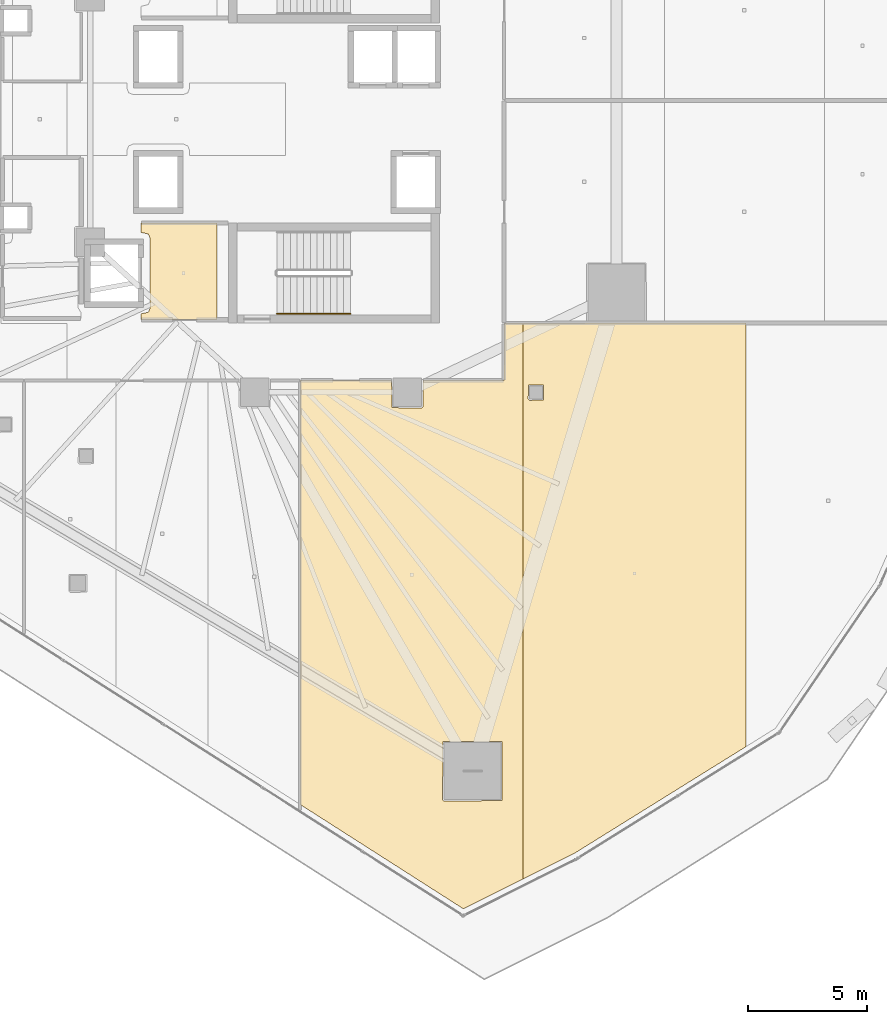
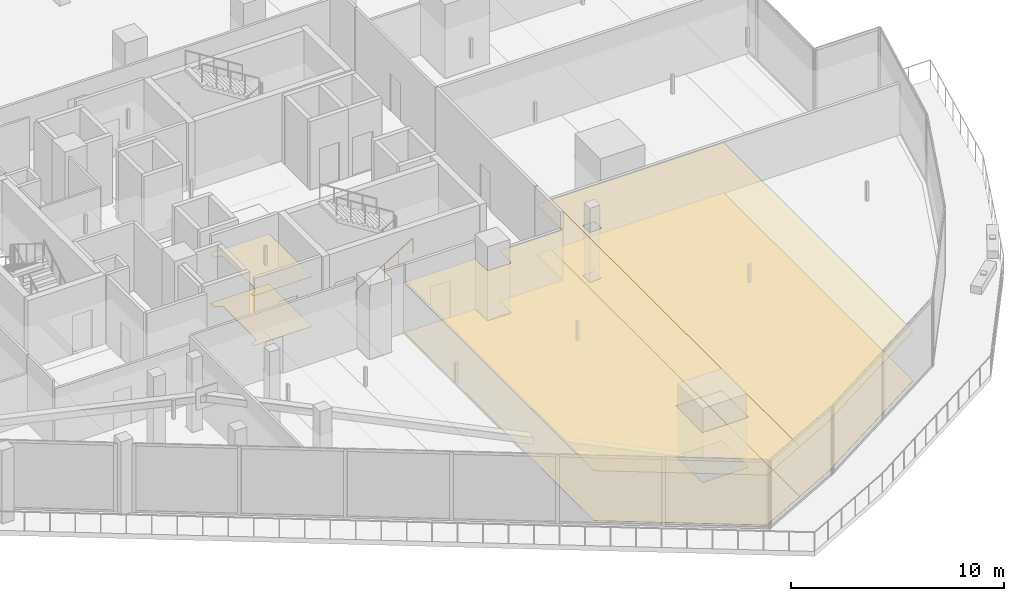
# One storey, part 39 of 45: 6 coverings, 1 railing.
"""IFC4 building model written with IfcOpenShell, lengths in metres."""

from ifc_helpers import new_model, si_unit, direction, frame, origin, origin_2d, place, context, subcontext, project, spatial, polyline, circle, outline, extrude, material, layer, layer_set, type_object, element, save


model = new_model("IFC4")

# Units and contexts
model_context = context("Model", 3, precision=1e-05, world=origin(), true_north=direction((0.0, 1.0)))
body_context = subcontext(model_context, "Body", "Model", "MODEL_VIEW")
ifc_project = project(units=[si_unit("LENGTHUNIT", "METRE"), si_unit("AREAUNIT", "SQUARE_METRE"), si_unit("VOLUMEUNIT", "CUBIC_METRE"), si_unit("PLANEANGLEUNIT", "RADIAN"), si_unit("MASSUNIT", "GRAM", prefix="KILO")], contexts=[model_context])

# Site, building, storey
site_placement = place(None, origin())
site = spatial("IfcSite", under=ifc_project, at=site_placement, CompositionType="ELEMENT")
building_placement = place(site_placement, origin())
building = spatial("IfcBuilding", under=site, at=building_placement, Name="Qorvath Tower", CompositionType="ELEMENT")
storey_placement = place(building_placement, frame((0.0, 0.0, 49.199951171875)))
storey = spatial("IfcBuildingStorey", under=building, at=storey_placement, Name="L10", CompositionType="ELEMENT", Elevation=49.199951171875)

# Coverings
ifc_material_1 = material(Name="Acoustic mineral fibre ceiling tile", Category="gypsum")
ifc_layer_1 = layer(ifc_material_1, 0.030029296875)
ifc_layer_set_1 = layer_set([ifc_layer_1], Name="COV-CEIL")
covering_type_1 = type_object("IfcCoveringType", Name="COV-CEIL", PredefinedType="CEILING", material=ifc_layer_set_1)
covering_1_placement = place(storey_placement, frame((0.0, 0.0, 2.85009765625)))
element("IfcCovering", 1, at=covering_1_placement, inside=storey, type_object=covering_type_1, Name="L10 Suspended Acoustic Ceiling 002", PredefinedType="CEILING", context=body_context, shape_type="SweptSolid", body=[
    extrude(outline(polyline([(-25.18994140625, -8.39501953125), (-25.18994140625, -4.35498046875), (-28.375, -4.35498046875), (-28.375, -4.739990234375), (-28.063232421875, -4.813232421875), (-27.989990234375, -4.989990234375), (-27.989990234375, -7.909912109375), (-28.063232421875, -8.086669921875), (-28.375, -8.159912109375), (-28.375, -8.39501953125), (-25.18994140625, -8.39501953125)])), origin(), (0.0, 0.0, 1.0), 0.030029296875),
])
covering_2_placement = place(storey_placement, frame((0.0, 0.0, 2.85009765625)))
element("IfcCovering", 2, at=covering_2_placement, inside=storey, type_object=covering_type_1, Name="L10 Suspended Acoustic Ceiling 017", PredefinedType="CEILING", context=body_context, shape_type="SweptSolid", body=[
    extrude(outline(polyline([(-17.860107421875, -10.962890625), (-21.682373046875, -10.962890625), (-21.682373046875, -28.74755859375), (-14.8486328125, -33.114990234375), (-12.345458984375, -31.863525390625), (-12.345458984375, -8.554443359375), (-13.136962890625, -8.554931640625), (-13.138427734375, -10.96142578125), (-16.5400390625, -10.962890625), (-16.5400390625, -12.050048828125), (-16.60009765625, -12.110107421875), (-17.842529296875, -12.092529296875), (-17.860107421875, -10.962890625)]), holes=[polyline([(-15.724365234375, -28.53076171875), (-15.706787109375, -26.08837890625), (-13.221923828125, -26.08837890625), (-13.221923828125, -28.5732421875), (-15.664306640625, -28.5908203125), (-15.724365234375, -28.53076171875)])]), origin(), (0.0, 0.0, 1.0), 0.030029296875),
])
covering_3_placement = place(storey_placement, frame((0.0, 0.0, 2.85009765625)))
element("IfcCovering", 3, at=covering_3_placement, inside=storey, type_object=covering_type_1, Name="L10 Suspended Acoustic Ceiling 018", PredefinedType="CEILING", context=body_context, shape_type="SweptSolid", body=[
    extrude(outline(polyline([(-12.345458984375, -8.554443359375), (-12.345458984375, -31.863525390625), (-10.21630859375, -30.798828125), (-3.008544921875, -26.316162109375), (-3.008544921875, -8.547119140625), (-12.345458984375, -8.554443359375)]), holes=[polyline([(-12.135009765625, -11.72509765625), (-12.117431640625, -11.132568359375), (-11.482666015625, -11.132568359375), (-11.482666015625, -11.767333984375), (-12.074951171875, -11.784912109375), (-12.135009765625, -11.72509765625)])]), origin(), (0.0, 0.0, 1.0), 0.030029296875),
])
ifc_material_2 = material(Name="Low-VOC modular carpet tile", Category="textile")
ifc_layer_2 = layer(ifc_material_2, 0.014892578125)
ifc_layer_set_2 = layer_set([ifc_layer_2], Name="COV-FLOOR-CPT")
covering_type_2 = type_object("IfcCoveringType", Name="COV-FLOOR-CPT", PredefinedType="FLOORING", material=ifc_layer_set_2)
covering_4_placement = place(storey_placement, origin())
element("IfcCovering", 4, at=covering_4_placement, inside=storey, type_object=covering_type_2, Name="L10 Floor Finish 017", PredefinedType="FLOORING", context=body_context, shape_type="SweptSolid", body=[
    extrude(outline(polyline([(-17.860107421875, -10.962890625), (-21.682373046875, -10.962890625), (-21.682373046875, -28.74755859375), (-14.8486328125, -33.114990234375), (-12.345458984375, -31.863525390625), (-12.345458984375, -8.554443359375), (-13.136962890625, -8.554931640625), (-13.138427734375, -10.96142578125), (-16.5400390625, -10.962890625), (-16.5400390625, -12.050048828125), (-16.60009765625, -12.110107421875), (-17.842529296875, -12.092529296875), (-17.860107421875, -10.962890625)]), holes=[polyline([(-15.724365234375, -28.53076171875), (-15.706787109375, -26.08837890625), (-13.221923828125, -26.08837890625), (-13.221923828125, -28.5732421875), (-15.664306640625, -28.5908203125), (-15.724365234375, -28.53076171875)])]), origin(), (0.0, 0.0, 1.0), 0.01513671875),
])
covering_5_placement = place(storey_placement, origin())
element("IfcCovering", 5, at=covering_5_placement, inside=storey, type_object=covering_type_2, Name="L10 Floor Finish 018", PredefinedType="FLOORING", context=body_context, shape_type="SweptSolid", body=[
    extrude(outline(polyline([(-12.345458984375, -8.554443359375), (-12.345458984375, -31.863525390625), (-10.21630859375, -30.798828125), (-3.008544921875, -26.316162109375), (-3.008544921875, -8.547119140625), (-12.345458984375, -8.554443359375)]), holes=[polyline([(-12.135009765625, -11.72509765625), (-12.117431640625, -11.132568359375), (-11.482666015625, -11.132568359375), (-11.482666015625, -11.767333984375), (-12.074951171875, -11.784912109375), (-12.135009765625, -11.72509765625)])]), origin(), (0.0, 0.0, 1.0), 0.01513671875),
])
ifc_material_3 = material(Name="Polished epoxy terrazzo flooring", Category="concrete")
ifc_layer_3 = layer(ifc_material_3, 0.02001953125)
ifc_layer_set_3 = layer_set([ifc_layer_3], Name="COV-FLOOR-TRZ")
covering_type_3 = type_object("IfcCoveringType", Name="COV-FLOOR-TRZ", PredefinedType="FLOORING", material=ifc_layer_set_3)
covering_6_placement = place(storey_placement, origin())
element("IfcCovering", 6, at=covering_6_placement, inside=storey, type_object=covering_type_3, Name="L10 Floor Finish 002", PredefinedType="FLOORING", context=body_context, shape_type="SweptSolid", body=[
    extrude(outline(polyline([(-25.18994140625, -8.39501953125), (-25.18994140625, -4.35498046875), (-28.375, -4.35498046875), (-28.375, -4.739990234375), (-28.063232421875, -4.813232421875), (-27.989990234375, -4.989990234375), (-27.989990234375, -7.909912109375), (-28.063232421875, -8.086669921875), (-28.375, -8.159912109375), (-28.375, -8.39501953125), (-25.18994140625, -8.39501953125)])), origin(), (0.0, 0.0, 1.0), 0.01513671875),
])

# Railing
ifc_material_4 = material(Name="Brushed stainless steel AISI 304", Category="steel")
railing_type = type_object("IfcRailingType", Name="RL-STR-HND", PredefinedType="HANDRAIL", material=ifc_material_4)
railing_placement = place(storey_placement, frame((-22.669921875, -8.14990234375, 0.175048828125)))
element("IfcRailing", 7, at=railing_placement, inside=storey, type_object=railing_type, Name="L10 TS2 stair handrail 1", PredefinedType="HANDRAIL", context=body_context, shape_type="SweptSolid", body=[
    extrude(circle(Radius=0.02392578125, at=origin_2d()), frame((0.0, 0.0, 0.8759765625), z_axis=(0.847979421464, 0.0, 0.530029150871), x_axis=(0.0, 1.0, 0.0)), (0.0, 0.0, 1.0), 3.632080078125),
    extrude(circle(Radius=0.02099609375, at=origin_2d()), origin(), (0.0, 0.0, 1.0), 0.851806640625),
    extrude(circle(Radius=0.02099609375, at=origin_2d()), frame((0.77001953125, 0.0, 0.481201171875)), (0.0, 0.0, 1.0), 0.851806640625),
    extrude(circle(Radius=0.02099609375, at=origin_2d()), frame((1.5400390625, 0.0, 0.96240234375)), (0.0, 0.0, 1.0), 0.851806640625),
    extrude(circle(Radius=0.02099609375, at=origin_2d()), frame((2.309814453125, 0.0, 1.44384765625)), (0.0, 0.0, 1.0), 0.851806640625),
    extrude(circle(Radius=0.02099609375, at=origin_2d()), frame((3.079833984375, 0.0, 1.925048828125)), (0.0, 0.0, 1.0), 0.851806640625),
])

save(model, "model.ifc")
